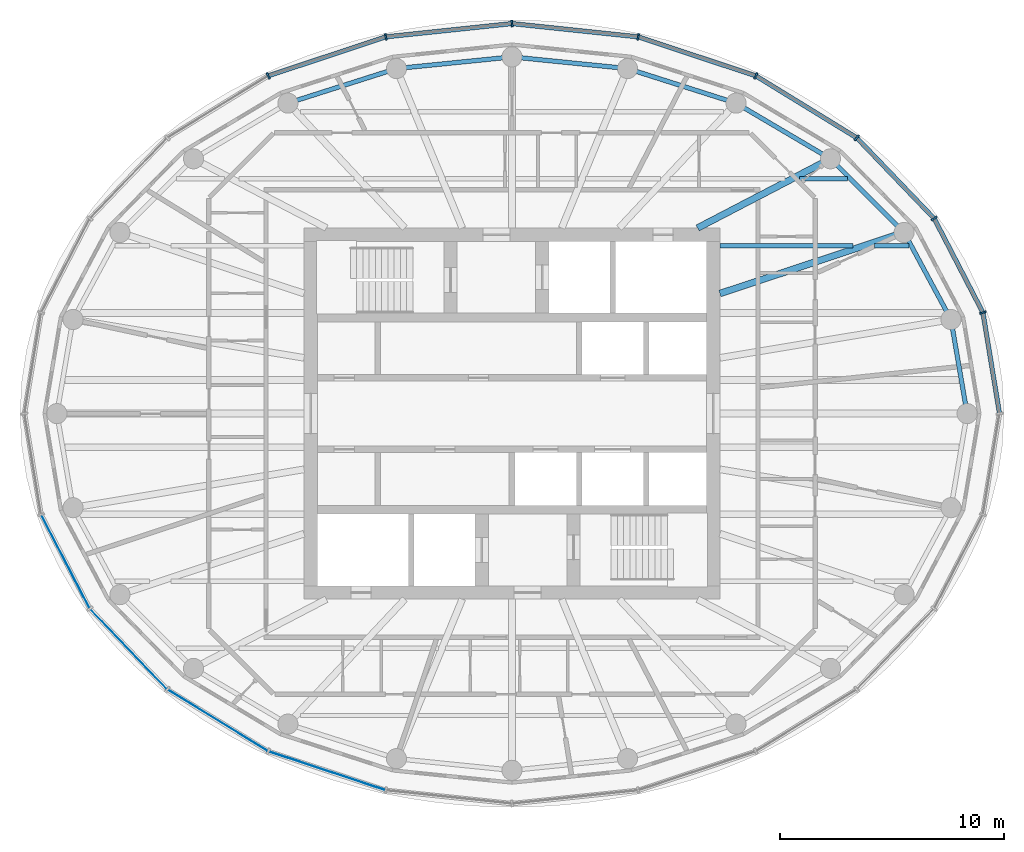
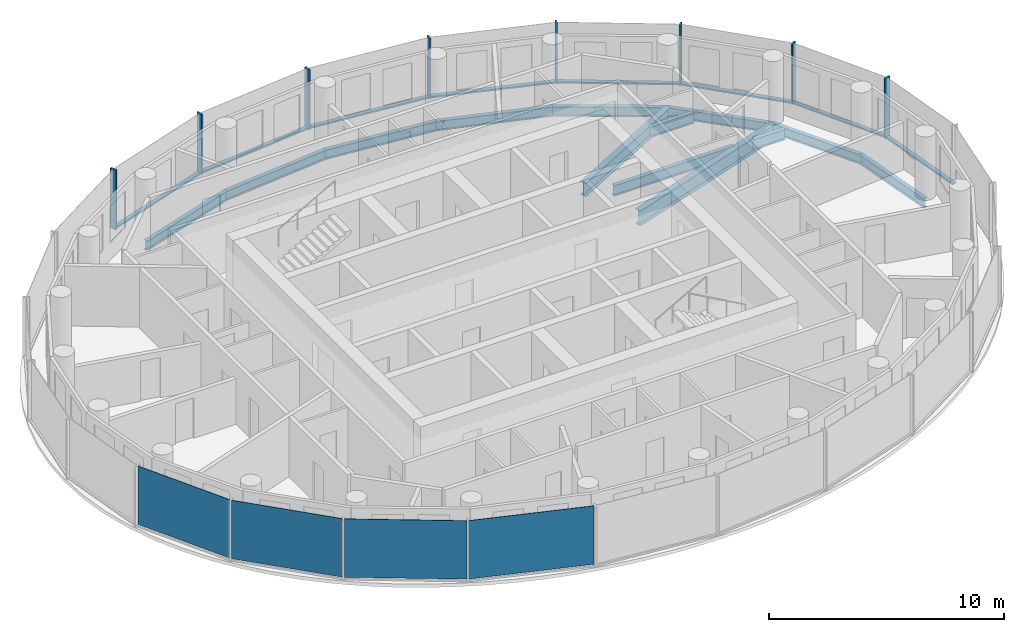
# One storey, part 3 of 11: 16 members, 13 beams, 4 plates, 3 elements without a shape of their own.
"""IFC4 building model written with IfcOpenShell, lengths in metres."""

from ifc_helpers import new_model, si_unit, direction, frame, origin, origin_2d, place, context, subcontext, project, spatial, rectangle, i_section, extrude, material, layer, layer_set, material_profile, profile_set, type_object, element, aggregate, save


model = new_model("IFC4")

# Units and contexts
model_context = context("Model", 3, precision=1e-05, world=origin(), true_north=direction((0.0, 1.0)))
body_context = subcontext(model_context, "Body", "Model", "MODEL_VIEW")
ifc_project = project(units=[si_unit("LENGTHUNIT", "METRE"), si_unit("AREAUNIT", "SQUARE_METRE"), si_unit("VOLUMEUNIT", "CUBIC_METRE"), si_unit("PLANEANGLEUNIT", "RADIAN"), si_unit("MASSUNIT", "GRAM", prefix="KILO")], contexts=[model_context])

# Site, building, storey
site_placement = place(None, origin())
site = spatial("IfcSite", under=ifc_project, at=site_placement, CompositionType="ELEMENT")
building_placement = place(site_placement, origin())
building = spatial("IfcBuilding", under=site, at=building_placement, Name="Hankou Lantern Tower", CompositionType="ELEMENT")
storey_placement = place(building_placement, frame((0.0, 0.0, 209.39990234375)))
storey = spatial("IfcBuildingStorey", under=building, at=storey_placement, Name="L56", CompositionType="ELEMENT", Elevation=209.39990234375)

# Beams
ifc_material_1 = material(Name="Steel Q355B", Category="steel")
ifc_material_profile_1 = material_profile(ifc_material_1, i_section(OverallWidth=0.199951171875, OverallDepth=0.5, WebThickness=0.010009765625, FlangeThickness=0.01611328125, FilletRadius=0.012939453125, at=origin_2d()), Name="HN500x200x10x16")
ifc_profile_set_1 = profile_set([ifc_material_profile_1], Name="Steel Q355B")
beam_type_1 = type_object("IfcBeamType", Name="EB5 RING BEAM HN500x200x10x16", PredefinedType="SPANDREL", material=ifc_profile_set_1)
beam_1_placement = place(storey_placement, frame((20.35009765625, 0.0, -0.429931640625), z_axis=(-0.168876512999, 0.98563721691, 0.0), x_axis=(-0.98563721691, -0.168876512999, 0.0)))
element("IfcBeam", 1, at=beam_1_placement, inside=storey, type_object=beam_type_1, Name="Ring beam R01-R02 L56", PredefinedType="SPANDREL", context=body_context, shape_type="SweptSolid", body=[
    extrude(i_section(OverallWidth=0.199951171875, OverallDepth=0.5, WebThickness=0.010009765625, FlangeThickness=0.01611328125, FilletRadius=0.012939453125, at=origin_2d()), origin(), (0.0, 0.0, 1.0), 4.26904296875),
])
beam_2_placement = place(storey_placement, frame((19.629150390625, 4.207763671875, -0.429931640625), z_axis=(-0.474491806611, 0.880259919262, 0.0), x_axis=(-0.880259919262, -0.474491806611, 0.0)))
element("IfcBeam", 2, at=beam_2_placement, inside=storey, type_object=beam_type_1, Name="Ring beam R02-R03 L56", PredefinedType="SPANDREL", context=body_context, shape_type="SweptSolid", body=[
    extrude(i_section(OverallWidth=0.199951171875, OverallDepth=0.5, WebThickness=0.010009765625, FlangeThickness=0.01611328125, FilletRadius=0.012939453125, at=origin_2d()), origin(), (0.0, 0.0, 1.0), 4.419189453125),
])
beam_3_placement = place(storey_placement, frame((17.5322265625, 8.097900390625, -0.429931640625), z_axis=(-0.706608588034, 0.707604623583, 0.0), x_axis=(-0.707604623583, -0.706608588034, 0.0)))
element("IfcBeam", 3, at=beam_3_placement, inside=storey, type_object=beam_type_1, Name="Ring beam R03-R04 L56", PredefinedType="SPANDREL", context=body_context, shape_type="SweptSolid", body=[
    extrude(i_section(OverallWidth=0.199951171875, OverallDepth=0.5, WebThickness=0.010009765625, FlangeThickness=0.01611328125, FilletRadius=0.012939453125, at=origin_2d()), origin(), (0.0, 0.0, 1.0), 4.6572265625),
])
beam_4_placement = place(storey_placement, frame((14.241455078125, 11.393310546875, -0.429931640625), z_axis=(-0.861422897323, 0.507888365655, 0.0), x_axis=(-0.507888365655, -0.861422897323, 0.0)))
element("IfcBeam", 4, at=beam_4_placement, inside=storey, type_object=beam_type_1, Name="Ring beam R04-R05 L56", PredefinedType="SPANDREL", context=body_context, shape_type="SweptSolid", body=[
    extrude(i_section(OverallWidth=0.199951171875, OverallDepth=0.5, WebThickness=0.010009765625, FlangeThickness=0.01611328125, FilletRadius=0.012939453125, at=origin_2d()), origin(), (0.0, 0.0, 1.0), 4.901611328125),
])
beam_5_placement = place(storey_placement, frame((10.01904296875, 13.8828125, -0.429931640625), z_axis=(-0.952887359315, 0.303324381574, 0.0), x_axis=(-0.303324381574, -0.952887359315, 0.0)))
element("IfcBeam", 5, at=beam_5_placement, inside=storey, type_object=beam_type_1, Name="Ring beam R05-R06 L56", PredefinedType="SPANDREL", context=body_context, shape_type="SweptSolid", body=[
    extrude(i_section(OverallWidth=0.199951171875, OverallDepth=0.5, WebThickness=0.010009765625, FlangeThickness=0.01611328125, FilletRadius=0.012939453125, at=origin_2d()), origin(), (0.0, 0.0, 1.0), 5.091796875),
])
for number, where, z_axis, x_axis, name in (
    (6, (5.167236328125, 15.42724609375, -0.429931640625), (-0.994922507736, 0.100643944676, 0.0), (-0.100643944676, -0.994922507736, 0.0), "Ring beam R06-R07 L56"),
    (7, (0.0, 15.949951171875, -0.429931640625), (-0.994922507736, -0.100643944676, 0.0), (0.100643944676, -0.994922507736, 0.0), "Ring beam R07-R08 L56"),
):
    element("IfcBeam", number, at=place(storey_placement, frame(where, z_axis=z_axis, x_axis=x_axis)), inside=storey, type_object=beam_type_1, Name=name, PredefinedType="SPANDREL", context=body_context, shape_type="SweptSolid", body=[
        extrude(i_section(OverallWidth=0.199951171875, OverallDepth=0.5, WebThickness=0.010009765625, FlangeThickness=0.01611328125, FilletRadius=0.012939453125, at=origin_2d()), origin(), (0.0, 0.0, 1.0), 5.193603515625),
    ])
beam_6_placement = place(storey_placement, frame((-5.167236328125, 15.42724609375, -0.429931640625), z_axis=(-0.952887359315, -0.303324381574, 0.0), x_axis=(0.303324381574, -0.952887359315, 0.0)))
element("IfcBeam", 8, at=beam_6_placement, inside=storey, type_object=beam_type_1, Name="Ring beam R08-R09 L56", PredefinedType="SPANDREL", context=body_context, shape_type="SweptSolid", body=[
    extrude(i_section(OverallWidth=0.199951171875, OverallDepth=0.5, WebThickness=0.010009765625, FlangeThickness=0.01611328125, FilletRadius=0.012939453125, at=origin_2d()), origin(), (0.0, 0.0, 1.0), 5.091796875),
])

# Curtain wall, members
ifc_material_2 = material(Name="Glass, dark grey tinted laminated", Category="glass")
curtain_wall_type = type_object("IfcCurtainWallType", Name="CWD OUTER SKIN SUITE", PredefinedType="USERDEFINED", material=ifc_material_2)
curtain_wall_1_placement = place(storey_placement, origin())
curtain_wall_1 = element("IfcCurtainWall", 9, at=curtain_wall_1_placement, inside=storey, type_object=curtain_wall_type, Name="CWD L56 OS1", ObjectType="OUTER SKIN SUITE", PredefinedType="USERDEFINED")
ifc_material_3 = material(Name="Aluminium, black anodised", Category="aluminium")
ifc_material_profile_2 = material_profile(ifc_material_3, rectangle(XDim=0.080078125, YDim=0.300048828125, at=origin_2d()), Name="MU1 80X300")
ifc_profile_set_2 = profile_set([ifc_material_profile_2], Name="Aluminium, black anodised")
member_type_1 = type_object("IfcMemberType", Name="MU1 OUTER SKIN MULLION 80X300", PredefinedType="MULLION", material=ifc_profile_set_2)
member_1_placement = place(storey_placement, frame((21.05712890625, 4.513916015625, 0.0), z_axis=(0.0, 0.0, 1.0), x_axis=(-0.317595577365, 0.94822626479, 0.0)))
member_1 = element("IfcMember", 10, at=member_1_placement, type_object=member_type_1, Name="CWD mullion 2", PredefinedType="MULLION", context=body_context, shape_type="SweptSolid", body=[
    extrude(rectangle(XDim=0.080078125, YDim=0.300048828125, at=origin_2d()), origin(), (0.0, 0.0, 1.0), 3.1201171875),
])
member_2_placement = place(storey_placement, frame((18.87939453125, 8.719970703125, 0.0), z_axis=(0.0, 0.0, 1.0), x_axis=(-0.585205735974, 0.810884854084, 0.0)))
member_2 = element("IfcMember", 11, at=member_2_placement, type_object=member_type_1, Name="CWD mullion 3", PredefinedType="MULLION", context=body_context, shape_type="SweptSolid", body=[
    extrude(rectangle(XDim=0.080078125, YDim=0.300048828125, at=origin_2d()), origin(), (0.0, 0.0, 1.0), 3.1201171875),
])
member_3_placement = place(storey_placement, frame((15.4150390625, 12.33203125, 0.0), z_axis=(0.0, 0.0, 1.0), x_axis=(-0.780868809444, 0.624695047553, 0.0)))
member_3 = element("IfcMember", 12, at=member_3_placement, type_object=member_type_1, Name="CWD mullion 4", PredefinedType="MULLION", context=body_context, shape_type="SweptSolid", body=[
    extrude(rectangle(XDim=0.080078125, YDim=0.300048828125, at=origin_2d()), origin(), (0.0, 0.0, 1.0), 3.1201171875),
])
member_4_placement = place(storey_placement, frame((10.89990234375, 15.103515625, 0.0), z_axis=(0.0, 0.0, 1.0), x_axis=(-0.907841299004, 0.419313934686, 0.0)))
member_4 = element("IfcMember", 13, at=member_4_placement, type_object=member_type_1, Name="CWD mullion 5", PredefinedType="MULLION", context=body_context, shape_type="SweptSolid", body=[
    extrude(rectangle(XDim=0.080078125, YDim=0.300048828125, at=origin_2d()), origin(), (0.0, 0.0, 1.0), 3.1201171875),
])
member_5_placement = place(storey_placement, frame((5.642333984375, 16.845703125, 0.0), z_axis=(0.0, 0.0, 1.0), x_axis=(-0.977787659625, 0.209597931016, 0.0)))
member_5 = element("IfcMember", 14, at=member_5_placement, type_object=member_type_1, Name="CWD mullion 6", PredefinedType="MULLION", context=body_context, shape_type="SweptSolid", body=[
    extrude(rectangle(XDim=0.080078125, YDim=0.300048828125, at=origin_2d()), origin(), (0.0, 0.0, 1.0), 3.1201171875),
])

curtain_wall_2_placement = place(storey_placement, origin())
curtain_wall_2 = element("IfcCurtainWall", 15, at=curtain_wall_2_placement, inside=storey, type_object=curtain_wall_type, Name="CWD L56 OS2", ObjectType="OUTER SKIN SUITE", PredefinedType="USERDEFINED")
member_6_placement = place(storey_placement, frame((0.0, 17.43994140625, 0.0), z_axis=(0.0, 0.0, 1.0), x_axis=(-0.994499359107, -0.104742659579, 0.0)))
member_6 = element("IfcMember", 16, at=member_6_placement, type_object=member_type_1, Name="CWD mullion 1", PredefinedType="MULLION", context=body_context, shape_type="SweptSolid", body=[
    extrude(rectangle(XDim=0.080078125, YDim=0.300048828125, at=origin_2d()), origin(), (0.0, 0.0, 1.0), 3.1201171875),
])
member_7_placement = place(storey_placement, frame((-5.642333984375, 16.845703125, 0.0), z_axis=(0.0, 0.0, 1.0), x_axis=(-0.977787659625, -0.209597931016, 0.0)))
member_7 = element("IfcMember", 17, at=member_7_placement, type_object=member_type_1, Name="CWD mullion 2", PredefinedType="MULLION", context=body_context, shape_type="SweptSolid", body=[
    extrude(rectangle(XDim=0.080078125, YDim=0.300048828125, at=origin_2d()), origin(), (0.0, 0.0, 1.0), 3.1201171875),
])
member_8_placement = place(storey_placement, frame((-10.89990234375, 15.103515625, 0.0), z_axis=(0.0, 0.0, 1.0), x_axis=(-0.907841299004, -0.419313934686, 0.0)))
member_8 = element("IfcMember", 18, at=member_8_placement, type_object=member_type_1, Name="CWD mullion 3", PredefinedType="MULLION", context=body_context, shape_type="SweptSolid", body=[
    extrude(rectangle(XDim=0.080078125, YDim=0.300048828125, at=origin_2d()), origin(), (0.0, 0.0, 1.0), 3.1201171875),
])

# Beams
ifc_material_4 = material(Name="Steel Q355B", Category="steel")
ifc_material_profile_3 = material_profile(ifc_material_4, i_section(OverallWidth=0.300048828125, OverallDepth=0.800048828125, WebThickness=0.013916015625, FlangeThickness=0.02587890625, FilletRadius=0.01806640625, at=origin_2d()), Name="HN800x300x14x26")
ifc_profile_set_3 = profile_set([ifc_material_profile_3], Name="Steel Q355B")
beam_type_2 = type_object("IfcBeamType", Name="RB11 RADIAL BEAM HN800x300x14x26", PredefinedType="BEAM", material=ifc_profile_set_3)
beam_7_placement = place(storey_placement, frame((9.300048828125, 5.369384765625, -0.579833984375), z_axis=(0.949219608576, 0.314614263337, 0.0), x_axis=(-0.314614263337, 0.949219608576, 0.0)))
element("IfcBeam", 19, at=beam_7_placement, inside=storey, type_object=beam_type_2, Name="Radial beam R03 L56", PredefinedType="BEAM", context=body_context, shape_type="SweptSolid", body=[
    extrude(i_section(OverallWidth=0.300048828125, OverallDepth=0.800048828125, WebThickness=0.013916015625, FlangeThickness=0.02587890625, FilletRadius=0.01806640625, at=origin_2d()), origin(), (0.0, 0.0, 1.0), 8.672607421875),
])
ifc_material_5 = material(Name="Steel Q355B", Category="steel")
ifc_material_profile_4 = material_profile(ifc_material_5, i_section(OverallWidth=0.300048828125, OverallDepth=0.699951171875, WebThickness=0.012939453125, FlangeThickness=0.02392578125, FilletRadius=0.01806640625, at=origin_2d()), Name="HN700x300x13x24")
ifc_profile_set_4 = profile_set([ifc_material_profile_4], Name="Steel Q355B")
beam_type_3 = type_object("IfcBeamType", Name="RB9 RADIAL BEAM HN700x300x13x24", PredefinedType="BEAM", material=ifc_profile_set_4)
beam_8_placement = place(storey_placement, frame((8.300048828125, 8.300048828125, -0.52978515625), z_axis=(0.886988734783, 0.461791061378, 0.0), x_axis=(-0.461791061378, 0.886988734783, 0.0)))
element("IfcBeam", 20, at=beam_8_placement, inside=storey, type_object=beam_type_3, Name="Radial beam R04 L56", PredefinedType="BEAM", context=body_context, shape_type="SweptSolid", body=[
    extrude(i_section(OverallWidth=0.300048828125, OverallDepth=0.699951171875, WebThickness=0.012939453125, FlangeThickness=0.02392578125, FilletRadius=0.01806640625, at=origin_2d()), origin(), (0.0, 0.0, 1.0), 6.698486328125),
])
ifc_material_6 = material(Name="Steel Q355B", Category="steel")
ifc_material_profile_5 = material_profile(ifc_material_6, i_section(OverallWidth=0.199951171875, OverallDepth=0.550048828125, WebThickness=0.010009765625, FlangeThickness=0.01611328125, FilletRadius=0.012939453125, at=origin_2d()), Name="HN550x200x10x16")
ifc_profile_set_5 = profile_set([ifc_material_profile_5], Name="Steel Q355B")
beam_type_4 = type_object("IfcBeamType", Name="SB6 SECONDARY BEAM HN550x200x10x16", PredefinedType="JOIST", material=ifc_profile_set_5)
beam_9_placement = place(storey_placement, frame((9.300048828125, 7.5, -0.454833984375), z_axis=(1.0, 0.0, 0.0), x_axis=(0.0, 1.0, 0.0)))
element("IfcBeam", 21, at=beam_9_placement, inside=storey, type_object=beam_type_4, Name="Floor joist J027 L56", PredefinedType="JOIST", context=body_context, shape_type="SweptSolid", body=[
    extrude(i_section(OverallWidth=0.199951171875, OverallDepth=0.550048828125, WebThickness=0.010009765625, FlangeThickness=0.01611328125, FilletRadius=0.012939453125, at=origin_2d()), origin(), (0.0, 0.0, 1.0), 5.95166015625),
])
beam_10_placement = place(storey_placement, frame((16.205322265625, 7.5, -0.454833984375), z_axis=(1.0, 0.0, 0.0), x_axis=(0.0, 1.0, 0.0)))
element("IfcBeam", 22, at=beam_10_placement, inside=storey, type_object=beam_type_4, Name="Floor joist J028 L56", PredefinedType="JOIST", context=body_context, shape_type="SweptSolid", body=[
    extrude(i_section(OverallWidth=0.199951171875, OverallDepth=0.550048828125, WebThickness=0.010009765625, FlangeThickness=0.01611328125, FilletRadius=0.012939453125, at=origin_2d()), origin(), (0.0, 0.0, 1.0), 1.53564453125),
])
beam_11_placement = place(storey_placement, frame((12.8505859375, 10.5, -0.454833984375), z_axis=(1.0, 0.0, 0.0), x_axis=(0.0, 1.0, 0.0)))
element("IfcBeam", 23, at=beam_11_placement, inside=storey, type_object=beam_type_4, Name="Floor joist J036 L56", PredefinedType="JOIST", context=body_context, shape_type="SweptSolid", body=[
    extrude(i_section(OverallWidth=0.199951171875, OverallDepth=0.550048828125, WebThickness=0.010009765625, FlangeThickness=0.01611328125, FilletRadius=0.012939453125, at=origin_2d()), origin(), (0.0, 0.0, 1.0), 2.1416015625),
])

# Member
ifc_material_7 = material(Name="Aluminium, black anodised", Category="aluminium")
ifc_material_profile_6 = material_profile(ifc_material_7, rectangle(XDim=0.199951171875, YDim=0.080078125, at=origin_2d()), Name="TR1 200X80")
ifc_profile_set_6 = profile_set([ifc_material_profile_6], Name="Aluminium, black anodised")
member_type_2 = type_object("IfcMemberType", Name="TR1 OUTER SKIN TRANSOM 200X80", PredefinedType="USERDEFINED", material=ifc_profile_set_6)
member_9_placement = place(storey_placement, frame((21.79345703125, 0.03955078125, 0.0400390625), z_axis=(-0.162363822839, 0.986730960816, 0.0), x_axis=(-0.986730960816, -0.162363822839, 0.0)))
member_9 = element("IfcMember", 24, at=member_9_placement, type_object=member_type_2, Name="CWD transom 1", ObjectType="TRANSOM", PredefinedType="USERDEFINED", context=body_context, shape_type="SweptSolid", body=[
    extrude(rectangle(XDim=0.199951171875, YDim=0.080078125, at=origin_2d()), origin(), (0.0, 0.0, 1.0), 4.494384765625),
])

member_10_placement = place(storey_placement, frame((21.038818359375, 4.54931640625, 0.0400390625), z_axis=(-0.45979371115, 0.888025755925, 0.0), x_axis=(-0.888025755925, -0.45979371115, 0.0)))
member_10 = element("IfcMember", 25, at=member_10_placement, type_object=member_type_2, Name="CWD transom 2", ObjectType="TRANSOM", PredefinedType="USERDEFINED", context=body_context, shape_type="SweptSolid", body=[
    extrude(rectangle(XDim=0.199951171875, YDim=0.080078125, at=origin_2d()), origin(), (0.0, 0.0, 1.0), 4.65673828125),
])

member_11_placement = place(storey_placement, frame((18.8515625, 8.748779296875, 0.0400390625), z_axis=(-0.692204633274, 0.721701285626, 0.0), x_axis=(-0.721701285626, -0.692204633274, 0.0)))
member_11 = element("IfcMember", 26, at=member_11_placement, type_object=member_type_2, Name="CWD transom 3", ObjectType="TRANSOM", PredefinedType="USERDEFINED", context=body_context, shape_type="SweptSolid", body=[
    extrude(rectangle(XDim=0.199951171875, YDim=0.080078125, at=origin_2d()), origin(), (0.0, 0.0, 1.0), 4.9248046875),
])

member_12_placement = place(storey_placement, frame((15.380859375, 12.352783203125, 0.0400390625), z_axis=(-0.852234544008, 0.523159900986, 0.0), x_axis=(-0.523159900986, -0.852234544008, 0.0)))
member_12 = element("IfcMember", 27, at=member_12_placement, type_object=member_type_2, Name="CWD transom 4", ObjectType="TRANSOM", PredefinedType="USERDEFINED", context=body_context, shape_type="SweptSolid", body=[
    extrude(rectangle(XDim=0.199951171875, YDim=0.080078125, at=origin_2d()), origin(), (0.0, 0.0, 1.0), 5.2177734375),
])

member_13_placement = place(storey_placement, frame((10.862060546875, 15.115966796875, 0.0400390625), z_axis=(-0.949231947668, 0.314577032739, 0.0), x_axis=(-0.314577032739, -0.949231947668, 0.0)))
member_13 = element("IfcMember", 28, at=member_13_placement, type_object=member_type_2, Name="CWD transom 5", ObjectType="TRANSOM", PredefinedType="USERDEFINED", context=body_context, shape_type="SweptSolid", body=[
    extrude(rectangle(XDim=0.199951171875, YDim=0.080078125, at=origin_2d()), origin(), (0.0, 0.0, 1.0), 5.458984375),
])

member_14_placement = place(storey_placement, frame((5.6025390625, 16.849853515625, 0.0400390625), z_axis=(-0.994498275726, 0.104752945435, 0.0), x_axis=(-0.104752945435, -0.994498275726, 0.0)))
member_14 = element("IfcMember", 29, at=member_14_placement, type_object=member_type_2, Name="CWD transom 6", ObjectType="TRANSOM", PredefinedType="USERDEFINED", context=body_context, shape_type="SweptSolid", body=[
    extrude(rectangle(XDim=0.199951171875, YDim=0.080078125, at=origin_2d()), origin(), (0.0, 0.0, 1.0), 5.593505859375),
])

aggregate(curtain_wall_1, [member_1, member_2, member_3, member_4, member_5, member_9, member_10, member_11, member_12, member_13, member_14])

member_15_placement = place(storey_placement, frame((-0.039794921875, 17.435791015625, 0.0400390625), z_axis=(-0.994498275726, -0.104752945435, 0.0), x_axis=(0.104752945435, -0.994498275726, 0.0)))
member_15 = element("IfcMember", 30, at=member_15_placement, type_object=member_type_2, Name="CWD transom 1", ObjectType="TRANSOM", PredefinedType="USERDEFINED", context=body_context, shape_type="SweptSolid", body=[
    extrude(rectangle(XDim=0.199951171875, YDim=0.080078125, at=origin_2d()), origin(), (0.0, 0.0, 1.0), 5.593505859375),
])

member_16_placement = place(storey_placement, frame((-5.68017578125, 16.833251953125, 0.0400390625), z_axis=(-0.949231947668, -0.314577032739, 0.0), x_axis=(0.314577032739, -0.949231947668, 0.0)))
member_16 = element("IfcMember", 31, at=member_16_placement, type_object=member_type_2, Name="CWD transom 2", ObjectType="TRANSOM", PredefinedType="USERDEFINED", context=body_context, shape_type="SweptSolid", body=[
    extrude(rectangle(XDim=0.199951171875, YDim=0.080078125, at=origin_2d()), origin(), (0.0, 0.0, 1.0), 5.458984375),
])

aggregate(curtain_wall_2, [member_6, member_7, member_8, member_15, member_16])

# Curtain wall, plates
curtain_wall_3_placement = place(storey_placement, origin())
curtain_wall_3 = element("IfcCurtainWall", 32, at=curtain_wall_3_placement, inside=storey, type_object=curtain_wall_type, Name="CWD L56 OS3", ObjectType="OUTER SKIN SUITE", PredefinedType="USERDEFINED")
ifc_material_8 = material(Name="Glass, dark grey tinted laminated", Category="glass")
ifc_layer = layer(ifc_material_8, 0.02392578125)
ifc_layer_set = layer_set([ifc_layer], Name="Glass, dark grey tinted laminated")
plate_type = type_object("IfcPlateType", Name="PN1 OUTER SKIN GLASS PANEL", PredefinedType="CURTAIN_PANEL", material=ifc_layer_set)
plate_1_placement = place(storey_placement, frame((-19.96826171875, -6.616943359375, 0.080078125), z_axis=(0.0, 0.0, 1.0), x_axis=(0.459791091957, -0.888027112062, 0.0)))
plate_1 = element("IfcPlate", 33, at=plate_1_placement, type_object=plate_type, Name="CWD glass panel 2", PredefinedType="CURTAIN_PANEL", context=body_context, shape_type="SweptSolid", body=[
    extrude(rectangle(XDim=4.656494140625, YDim=0.02392578125, at=origin_2d()), origin(), (0.0, 0.0, 1.0), 3.0400390625),
])
plate_2_placement = place(storey_placement, frame((-17.147216796875, -10.52587890625, 0.080078125), z_axis=(0.0, 0.0, 1.0), x_axis=(0.692215809936, -0.721690565599, 0.0)))
plate_2 = element("IfcPlate", 34, at=plate_2_placement, type_object=plate_type, Name="CWD glass panel 3", PredefinedType="CURTAIN_PANEL", context=body_context, shape_type="SweptSolid", body=[
    extrude(rectangle(XDim=4.9248046875, YDim=0.02392578125, at=origin_2d()), origin(), (0.0, 0.0, 1.0), 3.0400390625),
])
plate_3_placement = place(storey_placement, frame((-13.157470703125, -13.7177734375, 0.080078125), z_axis=(0.0, 0.0, 1.0), x_axis=(0.852237151549, -0.523155653242, 0.0)))
plate_3 = element("IfcPlate", 35, at=plate_3_placement, type_object=plate_type, Name="CWD glass panel 4", PredefinedType="CURTAIN_PANEL", context=body_context, shape_type="SweptSolid", body=[
    extrude(rectangle(XDim=5.2177734375, YDim=0.02392578125, at=origin_2d()), origin(), (0.0, 0.0, 1.0), 3.0400390625),
])
plate_4_placement = place(storey_placement, frame((-8.271240234375, -15.974609375, 0.080078125), z_axis=(0.0, 0.0, 1.0), x_axis=(0.949240677293, -0.31455068999, 0.0)))
plate_4 = element("IfcPlate", 36, at=plate_4_placement, type_object=plate_type, Name="CWD glass panel 5", PredefinedType="CURTAIN_PANEL", context=body_context, shape_type="SweptSolid", body=[
    extrude(rectangle(XDim=5.458984375, YDim=0.02392578125, at=origin_2d()), origin(), (0.0, 0.0, 1.0), 3.0400390625),
])
aggregate(curtain_wall_3, [plate_1, plate_2, plate_3, plate_4])

save(model, "model.ifc")
